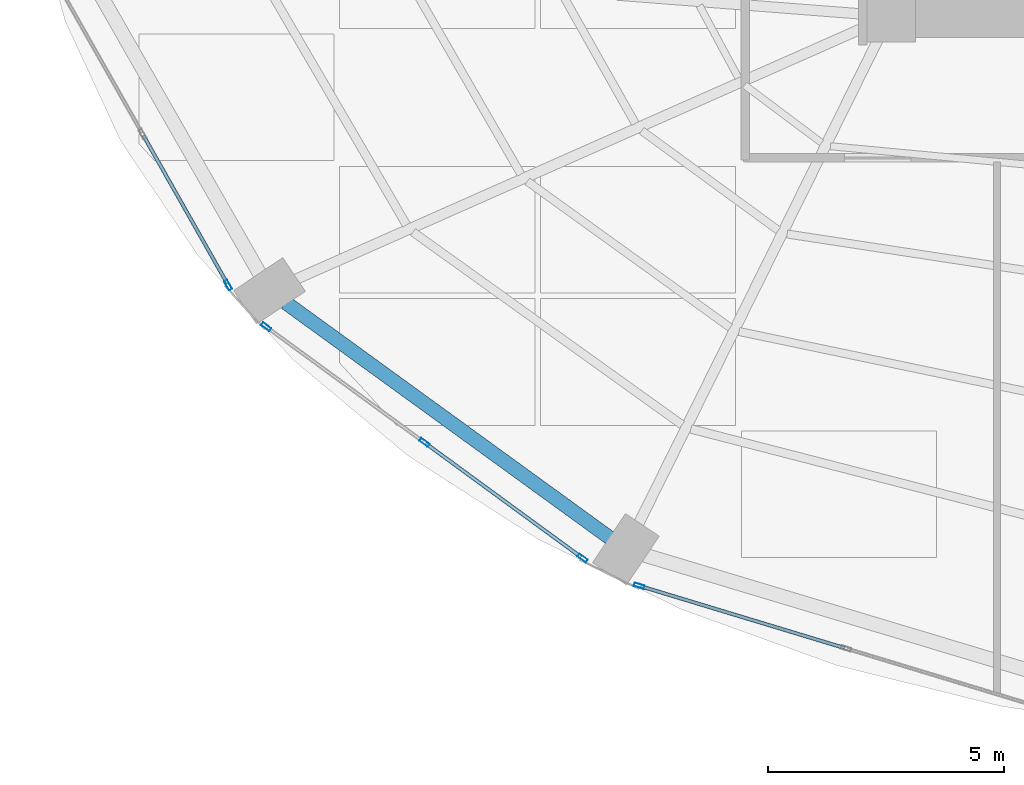
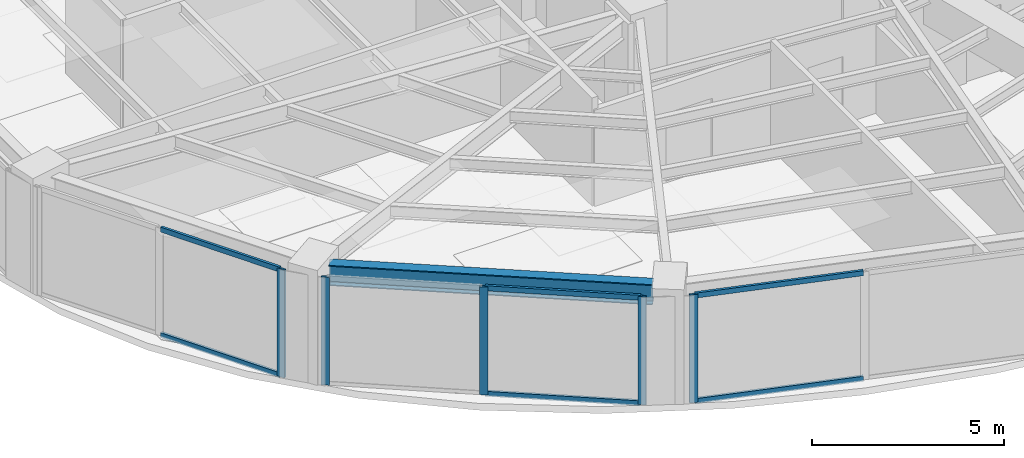
# One storey, part 2 of 24: 11 members, 1 beam, 3 elements without a shape of their own.
"""IFC4 building model written with IfcOpenShell, lengths in metres."""

import ifcopenshell
import ifcopenshell.guid

model = None  # the IFC model being written
_history = None  # IfcOwnerHistory: only IFC2X3 demands one
_inside = {}  # id of a spatial element -> (the spatial element, [elements in it])
_under = {}  # id of a project, library or spatial element -> (it, [spatial elements below it])
_declared = {}  # id of a project -> (the project, [libraries it declares])
_typed = {}  # id of a type object -> (the type object, [elements of that type])
_made_of = {}  # id of a material, layer set ... -> (it, [elements and type objects made of it])


def new_model(schema):
    """Start an empty IFC model of exactly this schema.

    Asked for "IFC4X3", IfcOpenShell would pick the latest addendum, in which some entities
    have other attributes; the version numbers below select the first issue.
    IFC2X3 requires an IfcOwnerHistory on every rooted entity: one is made here for all.
    """
    global model, _history
    if schema == "IFC4X3":
        model = ifcopenshell.file(schema_version=(4, 3, 0, 0))
    else:
        model = ifcopenshell.file(schema=schema)
    _inside.clear()
    _under.clear()
    _declared.clear()
    _typed.clear()
    _made_of.clear()
    _history = None
    if model.schema == "IFC2X3":
        org = make("IfcOrganization", Name="unknown")
        user = make(
            "IfcPersonAndOrganization",
            ThePerson=make("IfcPerson", FamilyName="unknown"),
            TheOrganization=org,
        )
        app = make(
            "IfcApplication",
            ApplicationDeveloper=org,
            Version="unknown",
            ApplicationFullName="unknown",
            ApplicationIdentifier="unknown",
        )
        _history = make(
            "IfcOwnerHistory",
            OwningUser=user,
            OwningApplication=app,
            ChangeAction="ADDED",
            CreationDate=0,
        )
    return model


def make(cls, **values):
    """One entity of the class cls with the attributes given. An attribute that is None is left unset."""
    return model.create_entity(
        cls, **{name: value for name, value in values.items() if value is not None}
    )


def rooted(cls, **values):
    """An entity with a GlobalId (a new one), such as an element, a storey or a relation."""
    return make(cls, GlobalId=ifcopenshell.guid.new(), OwnerHistory=_history, **values)


def si_unit(unit_type, name, prefix=None):
    """IfcSIUnit, for example si_unit("LENGTHUNIT", "METRE", prefix="MILLI")."""
    return make("IfcSIUnit", UnitType=unit_type, Prefix=prefix, Name=name)


def assignment(units):
    """IfcUnitAssignment: the units of a project."""
    return None if units is None else make("IfcUnitAssignment", Units=units)


def point(xyz):
    """IfcCartesianPoint."""
    return None if xyz is None else make("IfcCartesianPoint", Coordinates=xyz)


def direction(xyz):
    """IfcDirection."""
    return None if xyz is None else make("IfcDirection", DirectionRatios=xyz)


def frame(location, z_axis=None, x_axis=None):
    """IfcAxis2Placement3D, a coordinate frame: its origin and axes. An axis left out is left unset."""
    return make(
        "IfcAxis2Placement3D",
        Location=point(location),
        Axis=direction(z_axis),
        RefDirection=direction(x_axis),
    )


def frame_2d(location, x_axis=None):
    """IfcAxis2Placement2D, a coordinate frame in the plane: its origin and x axis."""
    return make(
        "IfcAxis2Placement2D", Location=point(location), RefDirection=direction(x_axis)
    )


def origin():
    """The frame at (0, 0, 0) with its axes left unset."""
    return frame((0.0, 0.0, 0.0))


def origin_2d():
    """The frame at (0, 0) in the plane with its x axis left unset."""
    return frame_2d((0.0, 0.0))


def place(relative_to, where):
    """IfcLocalPlacement: puts the frame where relative to a parent placement (None: the world)."""
    return make(
        "IfcLocalPlacement", PlacementRelTo=relative_to, RelativePlacement=where
    )


def context(
    kind, dimensions, precision=None, world=None, true_north=None, identifier=None
):
    """IfcGeometricRepresentationContext, for example the 3D "Model" context."""
    return make(
        "IfcGeometricRepresentationContext",
        ContextIdentifier=identifier,
        ContextType=kind,
        CoordinateSpaceDimension=dimensions,
        Precision=precision,
        WorldCoordinateSystem=world,
        TrueNorth=true_north,
    )


def subcontext(parent, identifier, kind, view, scale=None):
    """IfcGeometricRepresentationSubContext, for example "Body" below "Model"."""
    return make(
        "IfcGeometricRepresentationSubContext",
        ContextIdentifier=identifier,
        ContextType=kind,
        ParentContext=parent,
        TargetScale=scale,
        TargetView=view,
    )


def project(units=None, contexts=None):
    """IfcProject with its units and contexts."""
    return rooted(
        "IfcProject",
        Name="project",
        RepresentationContexts=contexts,
        UnitsInContext=assignment(units),
    )


def spatial(cls, under=None, at=None, **own):
    """A site, building, storey or space (cls), placed at a placement, below another one or the project."""
    s = rooted(cls, ObjectPlacement=at, **own)
    if under is not None:
        _under.setdefault(under.id(), (under, []))[1].append(s)
    return s


def profile(cls, at=None, kind="AREA", **sizes):
    """A parametric profile (cls). Its sizes go by their IFC names, for example OverallWidth=200.0."""
    return make(cls, ProfileType=kind, Position=at, **sizes)


def hollow_rectangle(**sizes):
    """IfcRectangleHollowProfileDef."""
    return profile("IfcRectangleHollowProfileDef", **sizes)


def i_section(**sizes):
    """IfcIShapeProfileDef."""
    return profile("IfcIShapeProfileDef", **sizes)


def extrude(swept, where, along, depth):
    """IfcExtrudedAreaSolid: the profile swept, set in the frame where, extruded along a direction by depth."""
    return make(
        "IfcExtrudedAreaSolid",
        SweptArea=swept,
        Position=where,
        ExtrudedDirection=direction(along),
        Depth=depth,
    )


def shape(context_of_items, identifier, shape_type, items):
    """IfcShapeRepresentation: the items that make up one representation, for example the "Body"."""
    return make(
        "IfcShapeRepresentation",
        ContextOfItems=context_of_items,
        RepresentationIdentifier=identifier,
        RepresentationType=shape_type,
        Items=items,
    )


def material(Name=None, Category=None):
    """IfcMaterial."""
    return make("IfcMaterial", Name=Name, Category=Category)


def layer(
    of_material, thickness, ventilated=None, Name=None, Category=None, Priority=None
):
    """IfcMaterialLayer: one layer of a wall or slab, of a material (None: an air gap)."""
    return make(
        "IfcMaterialLayer",
        Material=of_material,
        LayerThickness=thickness,
        IsVentilated=ventilated,
        Name=Name,
        Category=Category,
        Priority=Priority,
    )


def layer_set(layers, Name=None):
    """IfcMaterialLayerSet."""
    return make("IfcMaterialLayerSet", MaterialLayers=layers, LayerSetName=Name)


def material_profile(
    of_material, cross_section, Name=None, Category=None, Priority=None
):
    """IfcMaterialProfile: a cross section and its material."""
    return make(
        "IfcMaterialProfile",
        Name=Name,
        Material=of_material,
        Profile=cross_section,
        Priority=Priority,
        Category=Category,
    )


def profile_set(profiles, Name=None, composite=None):
    """IfcMaterialProfileSet."""
    return make(
        "IfcMaterialProfileSet",
        Name=Name,
        MaterialProfiles=profiles,
        CompositeProfile=composite,
    )


def made_of(thing, what):
    """Note that an element or type object is made of a material, layer set ...; save() writes the relation."""
    if what is not None:
        _made_of.setdefault(what.id(), (what, []))[1].append(thing)
    return thing


def type_object(cls, material=None, **own):
    """A type object (cls), such as IfcWallType, which elements share."""
    return made_of(rooted(cls, **own), material)


def element(
    cls,
    number,
    at=None,
    inside=None,
    cuts=None,
    type_object=None,
    material=None,
    context=None,
    identifier="Body",
    shape_type=None,
    held_by="IfcProductDefinitionShape",
    body=None,
    shapes=None,
    **own,
):
    """One element of the class cls, such as IfcWall. Its Tag is "e" and its number.

    at: its placement. inside: the storey or other place that contains it. cuts: it is an
    opening in that element (IfcRelVoidsElement). A single representation is given by context,
    identifier, shape_type and body (its items); several are given by shapes. held_by: the class
    of the entity that holds the representations. save() writes the other relations.
    """
    e = rooted(cls, Tag="e%d" % number, ObjectPlacement=at, **own)
    if body is not None:
        shapes = [shape(context, identifier, shape_type, body)]
    if shapes is not None:
        e.Representation = make(held_by, Representations=shapes)
    if inside is not None:
        _inside.setdefault(inside.id(), (inside, []))[1].append(e)
    if cuts is not None:
        rooted(
            "IfcRelVoidsElement", RelatingBuildingElement=cuts, RelatedOpeningElement=e
        )
    if type_object is not None:
        _typed.setdefault(type_object.id(), (type_object, []))[1].append(e)
    return made_of(e, material)


def aggregate(whole, parts):
    """IfcRelAggregates: a whole, such as a stair, and the parts it consists of."""
    return rooted("IfcRelAggregates", RelatingObject=whole, RelatedObjects=parts)


def save(model, path):
    """Write the relations noted so far, then the file.

    IfcRelAggregates (storeys below a building ...), IfcRelContainedInSpatialStructure (elements
    in a storey), IfcRelDefinesByType, IfcRelAssociatesMaterial and IfcRelDeclares: one each for
    every whole, place, type object, material and project.
    """
    for whole, parts in _under.values():
        aggregate(whole, parts)
    for where, things in _inside.values():
        rooted(
            "IfcRelContainedInSpatialStructure",
            RelatedElements=things,
            RelatingStructure=where,
        )
    for kind, things in _typed.values():
        rooted("IfcRelDefinesByType", RelatedObjects=things, RelatingType=kind)
    for what, things in _made_of.values():
        rooted("IfcRelAssociatesMaterial", RelatedObjects=things, RelatingMaterial=what)
    for by, libraries in _declared.values():
        rooted("IfcRelDeclares", RelatingContext=by, RelatedDefinitions=libraries)
    model.write(path)


model = new_model("IFC4")

# Units and contexts
model_context = context("Model", 3, precision=1e-05, world=origin(), true_north=direction((0.0, 1.0)))
body_context = subcontext(model_context, "Body", "Model", "MODEL_VIEW")
ifc_project = project(units=[si_unit("LENGTHUNIT", "METRE"), si_unit("AREAUNIT", "SQUARE_METRE"), si_unit("VOLUMEUNIT", "CUBIC_METRE"), si_unit("PLANEANGLEUNIT", "RADIAN"), si_unit("MASSUNIT", "GRAM", prefix="KILO")], contexts=[model_context])

# Site, building, storey
site_placement = place(None, origin())
site = spatial("IfcSite", under=ifc_project, at=site_placement, CompositionType="ELEMENT")
building_placement = place(site_placement, origin())
building = spatial("IfcBuilding", under=site, at=building_placement, Name="Lazwardi Medical Tower", CompositionType="ELEMENT")
storey_placement = place(building_placement, frame((0.0, 0.0, 65.327880859375)))
storey = spatial("IfcBuildingStorey", under=building, at=storey_placement, Name="L16", CompositionType="ELEMENT", Elevation=65.327880859375)

# Beam
ifc_material_1 = material(Name="Steel S355", Category="steel")
ifc_material_profile_1 = material_profile(ifc_material_1, i_section(OverallWidth=0.300048828125, OverallDepth=0.64990234375, WebThickness=0.01611328125, FlangeThickness=0.031005859375, at=origin_2d()), Name="HEB 650")
ifc_profile_set_1 = profile_set([ifc_material_profile_1], Name="Steel S355")
beam_type = type_object("IfcBeamType", Name="BM-RB-Z1", PredefinedType="BEAM", material=ifc_profile_set_1)
beam_placement = place(storey_placement, frame((13.6201171875, 14.339111328125, 3.10302734375), z_axis=(0.809407079515, -0.587247971159, 0.0), x_axis=(0.587247971159, 0.809407079515, 0.0)))
element("IfcBeam", 1, at=beam_placement, inside=storey, type_object=beam_type, Name="Ring beam RB-02 B14 L16", PredefinedType="BEAM", context=body_context, shape_type="SweptSolid", body=[
    extrude(i_section(OverallWidth=0.300048828125, OverallDepth=0.64990234375, WebThickness=0.01611328125, FlangeThickness=0.031005859375, at=origin_2d()), origin(), (0.0, 0.0, 1.0), 8.473876953125),
])

# Curtain wall, member
ifc_material_2 = material(Name="Anodised bronze aluminium and solar control glazing", Category="aluminium")
ifc_layer = layer(ifc_material_2, 0.199951171875)
ifc_layer_set = layer_set([ifc_layer], Name="Anodised bronze aluminium and solar control glazing")
curtain_wall_type = type_object("IfcCurtainWallType", Name="CW-SYS-02", PredefinedType="NOTDEFINED", material=ifc_layer_set)
curtain_wall_1_placement = place(storey_placement, origin())
curtain_wall_1 = element("IfcCurtainWall", 2, at=curtain_wall_1_placement, inside=storey, type_object=curtain_wall_type, Name="L16 Unitised bronze curtain wall CW-02", PredefinedType="NOTDEFINED")
ifc_material_3 = material(Name="Anodised bronze aluminium", Category="aluminium")
ifc_material_profile_2 = material_profile(ifc_material_3, hollow_rectangle(XDim=0.074951171875, YDim=0.219970703125, WallThickness=0.00390625, at=origin_2d()), Name="ALU-MULLION 220x75x4")
ifc_profile_set_2 = profile_set([ifc_material_profile_2], Name="Anodised bronze aluminium")
member_type_1 = type_object("IfcMemberType", Name="CW-MUL-01", PredefinedType="MULLION", material=ifc_profile_set_2)
member_1_placement = place(storey_placement, frame((12.4033203125, 14.71142578125, 0.0), z_axis=(0.0, 0.0, 1.0), x_axis=(0.870111838823, 0.492854327303, 0.0)))
member_1 = element("IfcMember", 3, at=member_1_placement, type_object=member_type_1, Name="CW-02 mullion 3", PredefinedType="MULLION", context=body_context, shape_type="SweptSolid", body=[
    extrude(hollow_rectangle(XDim=0.074951171875, YDim=0.219970703125, WallThickness=0.00390625, at=origin_2d()), origin(), (0.0, 0.0, 1.0), 3.42822265625),
])

# Curtain wall, members
curtain_wall_2_placement = place(storey_placement, origin())
curtain_wall_2 = element("IfcCurtainWall", 4, at=curtain_wall_2_placement, inside=storey, type_object=curtain_wall_type, Name="L16 Unitised bronze curtain wall CW-02", PredefinedType="NOTDEFINED")
member_2_placement = place(storey_placement, frame((13.209716796875, 13.827392578125, 0.0), z_axis=(0.0, 0.0, 1.0), x_axis=(0.590289307341, 0.807191757663, 0.0)))
member_2 = element("IfcMember", 5, at=member_2_placement, type_object=member_type_1, Name="CW-02 mullion 1", PredefinedType="MULLION", context=body_context, shape_type="SweptSolid", body=[
    extrude(hollow_rectangle(XDim=0.074951171875, YDim=0.219970703125, WallThickness=0.00390625, at=origin_2d()), origin(), (0.0, 0.0, 1.0), 3.42822265625),
])
member_3_placement = place(storey_placement, frame((16.5556640625, 11.380615234375, 0.0), z_axis=(0.0, 0.0, 1.0), x_axis=(0.590289307341, 0.807191757663, 0.0)))
member_3 = element("IfcMember", 6, at=member_3_placement, type_object=member_type_1, Name="CW-02 mullion 2", PredefinedType="MULLION", context=body_context, shape_type="SweptSolid", body=[
    extrude(hollow_rectangle(XDim=0.074951171875, YDim=0.219970703125, WallThickness=0.00390625, at=origin_2d()), origin(), (0.0, 0.0, 1.0), 3.42822265625),
])
member_4_placement = place(storey_placement, frame((19.9013671875, 8.933837890625, 0.0), z_axis=(0.0, 0.0, 1.0), x_axis=(0.590289307341, 0.807191757663, 0.0)))
member_4 = element("IfcMember", 7, at=member_4_placement, type_object=member_type_1, Name="CW-02 mullion 3", PredefinedType="MULLION", context=body_context, shape_type="SweptSolid", body=[
    extrude(hollow_rectangle(XDim=0.074951171875, YDim=0.219970703125, WallThickness=0.00390625, at=origin_2d()), origin(), (0.0, 0.0, 1.0), 3.42822265625),
])

# Curtain wall, member
curtain_wall_3_placement = place(storey_placement, origin())
curtain_wall_3 = element("IfcCurtainWall", 8, at=curtain_wall_3_placement, inside=storey, type_object=curtain_wall_type, Name="L16 Unitised bronze curtain wall CW-02", PredefinedType="NOTDEFINED")
member_5_placement = place(storey_placement, frame((21.1015625, 8.346923828125, 0.0), z_axis=(0.0, 0.0, 1.0), x_axis=(0.2898956909, 0.957058247129, 0.0)))
member_5 = element("IfcMember", 9, at=member_5_placement, type_object=member_type_1, Name="CW-02 mullion 1", PredefinedType="MULLION", context=body_context, shape_type="SweptSolid", body=[
    extrude(hollow_rectangle(XDim=0.074951171875, YDim=0.219970703125, WallThickness=0.00390625, at=origin_2d()), origin(), (0.0, 0.0, 1.0), 3.42822265625),
])

# Member
ifc_material_profile_3 = material_profile(ifc_material_3, hollow_rectangle(XDim=0.074951171875, YDim=0.159912109375, WallThickness=0.00390625, at=origin_2d()), Name="ALU-TRANSOM 160x75x4")
ifc_profile_set_3 = profile_set([ifc_material_profile_3], Name="Anodised bronze aluminium")
member_type_2 = type_object("IfcMemberType", Name="CW-TRN-01", PredefinedType="USERDEFINED", material=ifc_profile_set_3)
member_6_placement = place(storey_placement, frame((10.613037109375, 17.871826171875, 0.03759765625), z_axis=(0.492880614687, -0.870096948429, 0.0), x_axis=(0.870096948429, 0.492880614687, 0.0)))
member_6 = element("IfcMember", 10, at=member_6_placement, type_object=member_type_2, Name="CW-02 transom 2.1", ObjectType="TRANSOM", PredefinedType="USERDEFINED", context=body_context, shape_type="SweptSolid", body=[
    extrude(hollow_rectangle(XDim=0.074951171875, YDim=0.159912109375, WallThickness=0.00390625, at=origin_2d()), origin(), (0.0, 0.0, 1.0), 3.5947265625),
])

member_7_placement = place(storey_placement, frame((10.613037109375, 17.871826171875, 3.390625), z_axis=(0.492880614687, -0.870096948429, 0.0), x_axis=(0.870096948429, 0.492880614687, 0.0)))
member_7 = element("IfcMember", 11, at=member_7_placement, type_object=member_type_2, Name="CW-02 transom 2.2", ObjectType="TRANSOM", PredefinedType="USERDEFINED", context=body_context, shape_type="SweptSolid", body=[
    extrude(hollow_rectangle(XDim=0.074951171875, YDim=0.159912109375, WallThickness=0.00390625, at=origin_2d()), origin(), (0.0, 0.0, 1.0), 3.5947265625),
])

aggregate(curtain_wall_1, [member_1, member_6, member_7])

member_8_placement = place(storey_placement, frame((16.5859375, 11.358642578125, 0.03759765625), z_axis=(0.807169053975, -0.590320352271, 0.0), x_axis=(0.590320352271, 0.807169053975, 0.0)))
member_8 = element("IfcMember", 12, at=member_8_placement, type_object=member_type_2, Name="CW-02 transom 2.1", ObjectType="TRANSOM", PredefinedType="USERDEFINED", context=body_context, shape_type="SweptSolid", body=[
    extrude(hollow_rectangle(XDim=0.074951171875, YDim=0.159912109375, WallThickness=0.00390625, at=origin_2d()), origin(), (0.0, 0.0, 1.0), 4.070068359375),
])

member_9_placement = place(storey_placement, frame((16.5859375, 11.358642578125, 3.390625), z_axis=(0.807169053975, -0.590320352271, 0.0), x_axis=(0.590320352271, 0.807169053975, 0.0)))
member_9 = element("IfcMember", 13, at=member_9_placement, type_object=member_type_2, Name="CW-02 transom 2.2", ObjectType="TRANSOM", PredefinedType="USERDEFINED", context=body_context, shape_type="SweptSolid", body=[
    extrude(hollow_rectangle(XDim=0.074951171875, YDim=0.159912109375, WallThickness=0.00390625, at=origin_2d()), origin(), (0.0, 0.0, 1.0), 4.070068359375),
])

aggregate(curtain_wall_2, [member_2, member_3, member_4, member_8, member_9])

member_10_placement = place(storey_placement, frame((21.137451171875, 8.3359375, 0.03759765625), z_axis=(0.957062297904, -0.289882317383, 0.0), x_axis=(0.289882317383, 0.957062297904, 0.0)))
member_10 = element("IfcMember", 14, at=member_10_placement, type_object=member_type_2, Name="CW-02 transom 1.1", ObjectType="TRANSOM", PredefinedType="USERDEFINED", context=body_context, shape_type="SweptSolid", body=[
    extrude(hollow_rectangle(XDim=0.074951171875, YDim=0.159912109375, WallThickness=0.00390625, at=origin_2d()), origin(), (0.0, 0.0, 1.0), 4.49658203125),
])

member_11_placement = place(storey_placement, frame((21.137451171875, 8.3359375, 3.390625), z_axis=(0.957062297904, -0.289882317383, 0.0), x_axis=(0.289882317383, 0.957062297904, 0.0)))
member_11 = element("IfcMember", 15, at=member_11_placement, type_object=member_type_2, Name="CW-02 transom 1.2", ObjectType="TRANSOM", PredefinedType="USERDEFINED", context=body_context, shape_type="SweptSolid", body=[
    extrude(hollow_rectangle(XDim=0.074951171875, YDim=0.159912109375, WallThickness=0.00390625, at=origin_2d()), origin(), (0.0, 0.0, 1.0), 4.49658203125),
])

aggregate(curtain_wall_3, [member_5, member_10, member_11])

save(model, "model.ifc")
